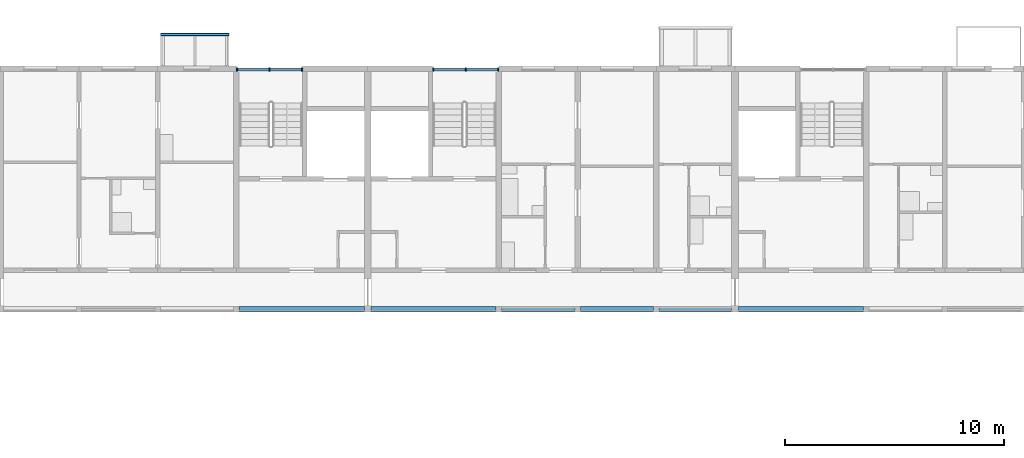
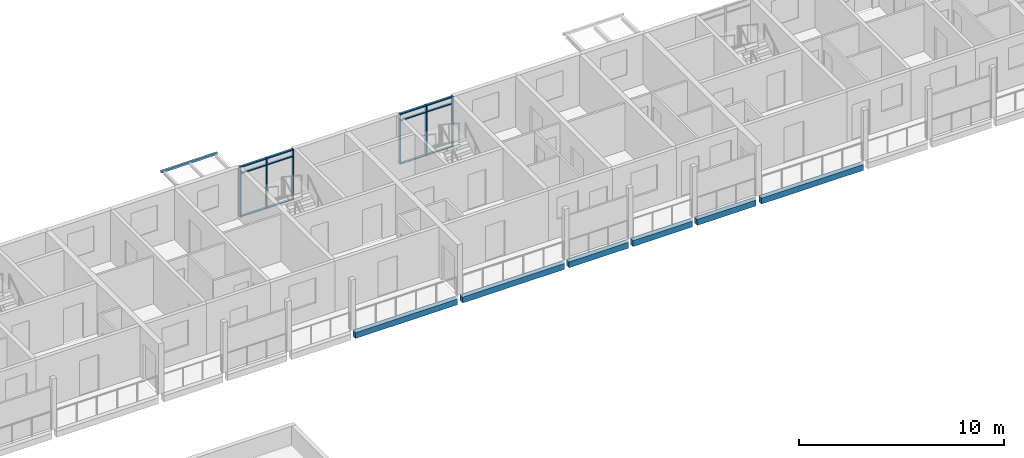
# One storey, part 26 of 115: 18 members, 7 beams, 2 elements without a shape of their own.
"""IFC4 building model written with IfcOpenShell, lengths in metres."""

import ifcopenshell
import ifcopenshell.guid

model = None  # the IFC model being written
_history = None  # IfcOwnerHistory: only IFC2X3 demands one
_inside = {}  # id of a spatial element -> (the spatial element, [elements in it])
_under = {}  # id of a project, library or spatial element -> (it, [spatial elements below it])
_declared = {}  # id of a project -> (the project, [libraries it declares])
_typed = {}  # id of a type object -> (the type object, [elements of that type])
_made_of = {}  # id of a material, layer set ... -> (it, [elements and type objects made of it])


def new_model(schema):
    """Start an empty IFC model of exactly this schema.

    Asked for "IFC4X3", IfcOpenShell would pick the latest addendum, in which some entities
    have other attributes; the version numbers below select the first issue.
    IFC2X3 requires an IfcOwnerHistory on every rooted entity: one is made here for all.
    """
    global model, _history
    if schema == "IFC4X3":
        model = ifcopenshell.file(schema_version=(4, 3, 0, 0))
    else:
        model = ifcopenshell.file(schema=schema)
    _inside.clear()
    _under.clear()
    _declared.clear()
    _typed.clear()
    _made_of.clear()
    _history = None
    if model.schema == "IFC2X3":
        org = make("IfcOrganization", Name="unknown")
        user = make(
            "IfcPersonAndOrganization",
            ThePerson=make("IfcPerson", FamilyName="unknown"),
            TheOrganization=org,
        )
        app = make(
            "IfcApplication",
            ApplicationDeveloper=org,
            Version="unknown",
            ApplicationFullName="unknown",
            ApplicationIdentifier="unknown",
        )
        _history = make(
            "IfcOwnerHistory",
            OwningUser=user,
            OwningApplication=app,
            ChangeAction="ADDED",
            CreationDate=0,
        )
    return model


def make(cls, **values):
    """One entity of the class cls with the attributes given. An attribute that is None is left unset."""
    return model.create_entity(
        cls, **{name: value for name, value in values.items() if value is not None}
    )


def rooted(cls, **values):
    """An entity with a GlobalId (a new one), such as an element, a storey or a relation."""
    return make(cls, GlobalId=ifcopenshell.guid.new(), OwnerHistory=_history, **values)


def si_unit(unit_type, name, prefix=None):
    """IfcSIUnit, for example si_unit("LENGTHUNIT", "METRE", prefix="MILLI")."""
    return make("IfcSIUnit", UnitType=unit_type, Prefix=prefix, Name=name)


def assignment(units):
    """IfcUnitAssignment: the units of a project."""
    return None if units is None else make("IfcUnitAssignment", Units=units)


def point(xyz):
    """IfcCartesianPoint."""
    return None if xyz is None else make("IfcCartesianPoint", Coordinates=xyz)


def direction(xyz):
    """IfcDirection."""
    return None if xyz is None else make("IfcDirection", DirectionRatios=xyz)


def frame(location, z_axis=None, x_axis=None):
    """IfcAxis2Placement3D, a coordinate frame: its origin and axes. An axis left out is left unset."""
    return make(
        "IfcAxis2Placement3D",
        Location=point(location),
        Axis=direction(z_axis),
        RefDirection=direction(x_axis),
    )


def frame_2d(location, x_axis=None):
    """IfcAxis2Placement2D, a coordinate frame in the plane: its origin and x axis."""
    return make(
        "IfcAxis2Placement2D", Location=point(location), RefDirection=direction(x_axis)
    )


def origin():
    """The frame at (0, 0, 0) with its axes left unset."""
    return frame((0.0, 0.0, 0.0))


def origin_2d():
    """The frame at (0, 0) in the plane with its x axis left unset."""
    return frame_2d((0.0, 0.0))


def place(relative_to, where):
    """IfcLocalPlacement: puts the frame where relative to a parent placement (None: the world)."""
    return make(
        "IfcLocalPlacement", PlacementRelTo=relative_to, RelativePlacement=where
    )


def context(
    kind, dimensions, precision=None, world=None, true_north=None, identifier=None
):
    """IfcGeometricRepresentationContext, for example the 3D "Model" context."""
    return make(
        "IfcGeometricRepresentationContext",
        ContextIdentifier=identifier,
        ContextType=kind,
        CoordinateSpaceDimension=dimensions,
        Precision=precision,
        WorldCoordinateSystem=world,
        TrueNorth=true_north,
    )


def subcontext(parent, identifier, kind, view, scale=None):
    """IfcGeometricRepresentationSubContext, for example "Body" below "Model"."""
    return make(
        "IfcGeometricRepresentationSubContext",
        ContextIdentifier=identifier,
        ContextType=kind,
        ParentContext=parent,
        TargetScale=scale,
        TargetView=view,
    )


def project(units=None, contexts=None):
    """IfcProject with its units and contexts."""
    return rooted(
        "IfcProject",
        Name="project",
        RepresentationContexts=contexts,
        UnitsInContext=assignment(units),
    )


def spatial(cls, under=None, at=None, **own):
    """A site, building, storey or space (cls), placed at a placement, below another one or the project."""
    s = rooted(cls, ObjectPlacement=at, **own)
    if under is not None:
        _under.setdefault(under.id(), (under, []))[1].append(s)
    return s


def profile(cls, at=None, kind="AREA", **sizes):
    """A parametric profile (cls). Its sizes go by their IFC names, for example OverallWidth=200.0."""
    return make(cls, ProfileType=kind, Position=at, **sizes)


def rectangle(**sizes):
    """IfcRectangleProfileDef."""
    return profile("IfcRectangleProfileDef", **sizes)


def hollow_rectangle(**sizes):
    """IfcRectangleHollowProfileDef."""
    return profile("IfcRectangleHollowProfileDef", **sizes)


def extrude(swept, where, along, depth):
    """IfcExtrudedAreaSolid: the profile swept, set in the frame where, extruded along a direction by depth."""
    return make(
        "IfcExtrudedAreaSolid",
        SweptArea=swept,
        Position=where,
        ExtrudedDirection=direction(along),
        Depth=depth,
    )


def shape(context_of_items, identifier, shape_type, items):
    """IfcShapeRepresentation: the items that make up one representation, for example the "Body"."""
    return make(
        "IfcShapeRepresentation",
        ContextOfItems=context_of_items,
        RepresentationIdentifier=identifier,
        RepresentationType=shape_type,
        Items=items,
    )


def material(Name=None, Category=None):
    """IfcMaterial."""
    return make("IfcMaterial", Name=Name, Category=Category)


def material_profile(
    of_material, cross_section, Name=None, Category=None, Priority=None
):
    """IfcMaterialProfile: a cross section and its material."""
    return make(
        "IfcMaterialProfile",
        Name=Name,
        Material=of_material,
        Profile=cross_section,
        Priority=Priority,
        Category=Category,
    )


def profile_set(profiles, Name=None, composite=None):
    """IfcMaterialProfileSet."""
    return make(
        "IfcMaterialProfileSet",
        Name=Name,
        MaterialProfiles=profiles,
        CompositeProfile=composite,
    )


def made_of(thing, what):
    """Note that an element or type object is made of a material, layer set ...; save() writes the relation."""
    if what is not None:
        _made_of.setdefault(what.id(), (what, []))[1].append(thing)
    return thing


def type_object(cls, material=None, **own):
    """A type object (cls), such as IfcWallType, which elements share."""
    return made_of(rooted(cls, **own), material)


def element(
    cls,
    number,
    at=None,
    inside=None,
    cuts=None,
    type_object=None,
    material=None,
    context=None,
    identifier="Body",
    shape_type=None,
    held_by="IfcProductDefinitionShape",
    body=None,
    shapes=None,
    **own,
):
    """One element of the class cls, such as IfcWall. Its Tag is "e" and its number.

    at: its placement. inside: the storey or other place that contains it. cuts: it is an
    opening in that element (IfcRelVoidsElement). A single representation is given by context,
    identifier, shape_type and body (its items); several are given by shapes. held_by: the class
    of the entity that holds the representations. save() writes the other relations.
    """
    e = rooted(cls, Tag="e%d" % number, ObjectPlacement=at, **own)
    if body is not None:
        shapes = [shape(context, identifier, shape_type, body)]
    if shapes is not None:
        e.Representation = make(held_by, Representations=shapes)
    if inside is not None:
        _inside.setdefault(inside.id(), (inside, []))[1].append(e)
    if cuts is not None:
        rooted(
            "IfcRelVoidsElement", RelatingBuildingElement=cuts, RelatedOpeningElement=e
        )
    if type_object is not None:
        _typed.setdefault(type_object.id(), (type_object, []))[1].append(e)
    return made_of(e, material)


def aggregate(whole, parts):
    """IfcRelAggregates: a whole, such as a stair, and the parts it consists of."""
    return rooted("IfcRelAggregates", RelatingObject=whole, RelatedObjects=parts)


def save(model, path):
    """Write the relations noted so far, then the file.

    IfcRelAggregates (storeys below a building ...), IfcRelContainedInSpatialStructure (elements
    in a storey), IfcRelDefinesByType, IfcRelAssociatesMaterial and IfcRelDeclares: one each for
    every whole, place, type object, material and project.
    """
    for whole, parts in _under.values():
        aggregate(whole, parts)
    for where, things in _inside.values():
        rooted(
            "IfcRelContainedInSpatialStructure",
            RelatedElements=things,
            RelatingStructure=where,
        )
    for kind, things in _typed.values():
        rooted("IfcRelDefinesByType", RelatedObjects=things, RelatingType=kind)
    for what, things in _made_of.values():
        rooted("IfcRelAssociatesMaterial", RelatedObjects=things, RelatingMaterial=what)
    for by, libraries in _declared.values():
        rooted("IfcRelDeclares", RelatingContext=by, RelatedDefinitions=libraries)
    model.write(path)


model = new_model("IFC4")

# Units and contexts
model_context = context("Model", 3, precision=1e-05, world=origin(), true_north=direction((0.0, 1.0)))
body_context = subcontext(model_context, "Body", "Model", "MODEL_VIEW")
ifc_project = project(units=[si_unit("LENGTHUNIT", "METRE"), si_unit("AREAUNIT", "SQUARE_METRE"), si_unit("VOLUMEUNIT", "CUBIC_METRE"), si_unit("PLANEANGLEUNIT", "RADIAN"), si_unit("MASSUNIT", "GRAM", prefix="KILO")], contexts=[model_context])

# Site, building, storey
site_placement = place(None, origin())
site = spatial("IfcSite", under=ifc_project, at=site_placement, CompositionType="ELEMENT")
building_placement = place(site_placement, origin())
building = spatial("IfcBuilding", under=site, at=building_placement, Name="Ridgestep Commons", CompositionType="ELEMENT")
storey_placement = place(building_placement, frame((0.0, 0.0, 6.0)))
storey = spatial("IfcBuildingStorey", under=building, at=storey_placement, Name="L02", CompositionType="ELEMENT", Elevation=6.0)

# Beams
ifc_material_1 = material(Name="Precast concrete C40/50", Category="concrete")
ifc_material_profile_1 = material_profile(ifc_material_1, rectangle(XDim=0.25, YDim=0.35009765625, at=origin_2d()), Name="PC 250x350")
ifc_profile_set_1 = profile_set([ifc_material_profile_1], Name="Precast concrete C40/50")
beam_type_1 = type_object("IfcBeamType", Name="Loggia edge beam 250 x 350", PredefinedType="SPANDREL", material=ifc_profile_set_1)
beam_1_placement = place(storey_placement, frame((174.52490234375, 66.125, -0.375), z_axis=(1.0, 0.0, 0.0), x_axis=(0.0, 1.0, 0.0)))
element("IfcBeam", 1, at=beam_1_placement, inside=storey, type_object=beam_type_1, Name="Loggia edge beam C2C L02", PredefinedType="SPANDREL", context=body_context, shape_type="SweptSolid", body=[
    extrude(rectangle(XDim=0.25, YDim=0.35009765625, at=origin_2d()), origin(), (0.0, 0.0, 1.0), 5.72509765625),
])
beam_2_placement = place(storey_placement, frame((180.550048828125, 66.125, -0.375), z_axis=(1.0, 0.0, 0.0), x_axis=(0.0, 1.0, 0.0)))
element("IfcBeam", 2, at=beam_2_placement, inside=storey, type_object=beam_type_1, Name="Loggia edge beam C3C L02", PredefinedType="SPANDREL", context=body_context, shape_type="SweptSolid", body=[
    extrude(rectangle(XDim=0.25, YDim=0.35009765625, at=origin_2d()), origin(), (0.0, 0.0, 1.0), 5.724853515625),
])
for number, where, z_axis, x_axis, name in (
    (3, (186.52490234375, 66.125, -0.375), (1.0, 0.0, 0.0), (0.0, 1.0, 0.0), "Loggia edge beam C3T3 L02"),
    (4, (190.125, 66.125, -0.375), (1.0, 0.0, 0.0), (0.0, 1.0, 0.0), "Loggia edge beam C3T2 L02"),
):
    element("IfcBeam", number, at=place(storey_placement, frame(where, z_axis=z_axis, x_axis=x_axis)), inside=storey, type_object=beam_type_1, Name=name, PredefinedType="SPANDREL", context=body_context, shape_type="SweptSolid", body=[
        extrude(rectangle(XDim=0.25, YDim=0.35009765625, at=origin_2d()), origin(), (0.0, 0.0, 1.0), 3.35009765625),
    ])
beam_3_placement = place(storey_placement, frame((193.72509765625, 66.125, -0.375), z_axis=(1.0, 0.0, 0.0), x_axis=(0.0, 1.0, 0.0)))
element("IfcBeam", 5, at=beam_3_placement, inside=storey, type_object=beam_type_1, Name="Loggia edge beam C3T1 L02", PredefinedType="SPANDREL", context=body_context, shape_type="SweptSolid", body=[
    extrude(rectangle(XDim=0.25, YDim=0.35009765625, at=origin_2d()), origin(), (0.0, 0.0, 1.0), 3.324951171875),
])
beam_4_placement = place(storey_placement, frame((197.35009765625, 66.125, -0.375), z_axis=(1.0, 0.0, 0.0), x_axis=(0.0, 1.0, 0.0)))
element("IfcBeam", 6, at=beam_4_placement, inside=storey, type_object=beam_type_1, Name="Loggia edge beam C4C L02", PredefinedType="SPANDREL", context=body_context, shape_type="SweptSolid", body=[
    extrude(rectangle(XDim=0.25, YDim=0.35009765625, at=origin_2d()), origin(), (0.0, 0.0, 1.0), 5.724853515625),
])

# Curtain wall, members
ifc_material_2 = material(Name="Aluminium 6063-T6 and glass", Category="aluminium")
curtain_wall_type = type_object("IfcCurtainWallType", Name="Curtain wall stair strip", PredefinedType="NOTDEFINED", material=ifc_material_2)
curtain_wall_1_placement = place(storey_placement, origin())
curtain_wall_1 = element("IfcCurtainWall", 7, at=curtain_wall_1_placement, inside=storey, type_object=curtain_wall_type, Name="Curtain wall C2C level 02", PredefinedType="NOTDEFINED")
ifc_material_3 = material(Name="Aluminium 6063-T6", Category="aluminium")
ifc_material_profile_2 = material_profile(ifc_material_3, rectangle(XDim=0.159912109375, YDim=0.06005859375, at=origin_2d()), Name="Mullion 60 x 160")
ifc_profile_set_2 = profile_set([ifc_material_profile_2], Name="Aluminium 6063-T6")
member_type_1 = type_object("IfcMemberType", Name="Mullion 60 x 160", PredefinedType="MULLION", material=ifc_profile_set_2)
member_1_placement = place(storey_placement, frame((174.429931640625, 77.080078125, 0.0), z_axis=(0.0, 0.0, 1.0), x_axis=(0.0, 1.0, 0.0)))
member_1 = element("IfcMember", 8, at=member_1_placement, type_object=member_type_1, Name="CW1 mullion 1", PredefinedType="MULLION", context=body_context, shape_type="SweptSolid", body=[
    extrude(rectangle(XDim=0.159912109375, YDim=0.06005859375, at=origin_2d()), origin(), (0.0, 0.0, 1.0), 3.0),
])
member_2_placement = place(storey_placement, frame((175.91259765625, 77.080078125, 0.0), z_axis=(0.0, 0.0, 1.0), x_axis=(0.0, 1.0, 0.0)))
member_2 = element("IfcMember", 9, at=member_2_placement, type_object=member_type_1, Name="CW1 mullion 2", PredefinedType="MULLION", context=body_context, shape_type="SweptSolid", body=[
    extrude(rectangle(XDim=0.159912109375, YDim=0.06005859375, at=origin_2d()), origin(), (0.0, 0.0, 1.0), 3.0),
])
member_3_placement = place(storey_placement, frame((177.39501953125, 77.080078125, 0.0), z_axis=(0.0, 0.0, 1.0), x_axis=(0.0, 1.0, 0.0)))
member_3 = element("IfcMember", 10, at=member_3_placement, type_object=member_type_1, Name="CW1 mullion 3", PredefinedType="MULLION", context=body_context, shape_type="SweptSolid", body=[
    extrude(rectangle(XDim=0.159912109375, YDim=0.06005859375, at=origin_2d()), origin(), (0.0, 0.0, 1.0), 3.0),
])

curtain_wall_2_placement = place(storey_placement, origin())
curtain_wall_2 = element("IfcCurtainWall", 11, at=curtain_wall_2_placement, inside=storey, type_object=curtain_wall_type, Name="Curtain wall C3C level 02", PredefinedType="NOTDEFINED")
member_4_placement = place(storey_placement, frame((183.405029296875, 77.080078125, 0.0), z_axis=(0.0, 0.0, 1.0), x_axis=(0.0, 1.0, 0.0)))
member_4 = element("IfcMember", 12, at=member_4_placement, type_object=member_type_1, Name="CW1 mullion 1", PredefinedType="MULLION", context=body_context, shape_type="SweptSolid", body=[
    extrude(rectangle(XDim=0.159912109375, YDim=0.06005859375, at=origin_2d()), origin(), (0.0, 0.0, 1.0), 3.0),
])
member_5_placement = place(storey_placement, frame((184.887451171875, 77.080078125, 0.0), z_axis=(0.0, 0.0, 1.0), x_axis=(0.0, 1.0, 0.0)))
member_5 = element("IfcMember", 13, at=member_5_placement, type_object=member_type_1, Name="CW1 mullion 2", PredefinedType="MULLION", context=body_context, shape_type="SweptSolid", body=[
    extrude(rectangle(XDim=0.159912109375, YDim=0.06005859375, at=origin_2d()), origin(), (0.0, 0.0, 1.0), 3.0),
])
member_6_placement = place(storey_placement, frame((186.3701171875, 77.080078125, 0.0), z_axis=(0.0, 0.0, 1.0), x_axis=(0.0, 1.0, 0.0)))
member_6 = element("IfcMember", 14, at=member_6_placement, type_object=member_type_1, Name="CW1 mullion 3", PredefinedType="MULLION", context=body_context, shape_type="SweptSolid", body=[
    extrude(rectangle(XDim=0.159912109375, YDim=0.06005859375, at=origin_2d()), origin(), (0.0, 0.0, 1.0), 3.0),
])

# Member
ifc_material_4 = material(Name="Aluminium 6063-T6", Category="aluminium")
ifc_material_profile_3 = material_profile(ifc_material_4, rectangle(XDim=0.1201171875, YDim=0.06005859375, at=origin_2d()), Name="Transom 60 x 120")
ifc_profile_set_3 = profile_set([ifc_material_profile_3], Name="Aluminium 6063-T6")
member_type_2 = type_object("IfcMemberType", Name="Transom 60 x 120", PredefinedType="USERDEFINED", material=ifc_profile_set_3)
member_7_placement = place(storey_placement, frame((174.4599609375, 77.080078125, 0.030029296875), z_axis=(1.0, 0.0, 0.0), x_axis=(0.0, 1.0, 0.0)))
member_7 = element("IfcMember", 15, at=member_7_placement, type_object=member_type_2, Name="CW1 transom 1.1", ObjectType="TRANSOM", PredefinedType="USERDEFINED", context=body_context, shape_type="SweptSolid", body=[
    extrude(rectangle(XDim=0.1201171875, YDim=0.06005859375, at=origin_2d()), origin(), (0.0, 0.0, 1.0), 1.422607421875),
])

member_8_placement = place(storey_placement, frame((174.4599609375, 77.080078125, 2.590087890625), z_axis=(1.0, 0.0, 0.0), x_axis=(0.0, 1.0, 0.0)))
member_8 = element("IfcMember", 16, at=member_8_placement, type_object=member_type_2, Name="CW1 transom 1.2", ObjectType="TRANSOM", PredefinedType="USERDEFINED", context=body_context, shape_type="SweptSolid", body=[
    extrude(rectangle(XDim=0.1201171875, YDim=0.06005859375, at=origin_2d()), origin(), (0.0, 0.0, 1.0), 1.422607421875),
])

member_9_placement = place(storey_placement, frame((174.4599609375, 77.080078125, 2.969970703125), z_axis=(1.0, 0.0, 0.0), x_axis=(0.0, 1.0, 0.0)))
member_9 = element("IfcMember", 17, at=member_9_placement, type_object=member_type_2, Name="CW1 transom 1.3", ObjectType="TRANSOM", PredefinedType="USERDEFINED", context=body_context, shape_type="SweptSolid", body=[
    extrude(rectangle(XDim=0.1201171875, YDim=0.06005859375, at=origin_2d()), origin(), (0.0, 0.0, 1.0), 1.422607421875),
])

member_10_placement = place(storey_placement, frame((175.9423828125, 77.080078125, 0.030029296875), z_axis=(1.0, 0.0, 0.0), x_axis=(0.0, 1.0, 0.0)))
member_10 = element("IfcMember", 18, at=member_10_placement, type_object=member_type_2, Name="CW1 transom 2.1", ObjectType="TRANSOM", PredefinedType="USERDEFINED", context=body_context, shape_type="SweptSolid", body=[
    extrude(rectangle(XDim=0.1201171875, YDim=0.06005859375, at=origin_2d()), origin(), (0.0, 0.0, 1.0), 1.422607421875),
])

member_11_placement = place(storey_placement, frame((175.9423828125, 77.080078125, 2.590087890625), z_axis=(1.0, 0.0, 0.0), x_axis=(0.0, 1.0, 0.0)))
member_11 = element("IfcMember", 19, at=member_11_placement, type_object=member_type_2, Name="CW1 transom 2.2", ObjectType="TRANSOM", PredefinedType="USERDEFINED", context=body_context, shape_type="SweptSolid", body=[
    extrude(rectangle(XDim=0.1201171875, YDim=0.06005859375, at=origin_2d()), origin(), (0.0, 0.0, 1.0), 1.422607421875),
])

member_12_placement = place(storey_placement, frame((175.9423828125, 77.080078125, 2.969970703125), z_axis=(1.0, 0.0, 0.0), x_axis=(0.0, 1.0, 0.0)))
member_12 = element("IfcMember", 20, at=member_12_placement, type_object=member_type_2, Name="CW1 transom 2.3", ObjectType="TRANSOM", PredefinedType="USERDEFINED", context=body_context, shape_type="SweptSolid", body=[
    extrude(rectangle(XDim=0.1201171875, YDim=0.06005859375, at=origin_2d()), origin(), (0.0, 0.0, 1.0), 1.422607421875),
])

aggregate(curtain_wall_1, [member_1, member_2, member_3, member_7, member_8, member_9, member_10, member_11, member_12])

member_13_placement = place(storey_placement, frame((183.43505859375, 77.080078125, 0.030029296875), z_axis=(1.0, 0.0, 0.0), x_axis=(0.0, 1.0, 0.0)))
member_13 = element("IfcMember", 21, at=member_13_placement, type_object=member_type_2, Name="CW1 transom 1.1", ObjectType="TRANSOM", PredefinedType="USERDEFINED", context=body_context, shape_type="SweptSolid", body=[
    extrude(rectangle(XDim=0.1201171875, YDim=0.06005859375, at=origin_2d()), origin(), (0.0, 0.0, 1.0), 1.42236328125),
])

member_14_placement = place(storey_placement, frame((183.43505859375, 77.080078125, 2.590087890625), z_axis=(1.0, 0.0, 0.0), x_axis=(0.0, 1.0, 0.0)))
member_14 = element("IfcMember", 22, at=member_14_placement, type_object=member_type_2, Name="CW1 transom 1.2", ObjectType="TRANSOM", PredefinedType="USERDEFINED", context=body_context, shape_type="SweptSolid", body=[
    extrude(rectangle(XDim=0.1201171875, YDim=0.06005859375, at=origin_2d()), origin(), (0.0, 0.0, 1.0), 1.42236328125),
])

member_15_placement = place(storey_placement, frame((183.43505859375, 77.080078125, 2.969970703125), z_axis=(1.0, 0.0, 0.0), x_axis=(0.0, 1.0, 0.0)))
member_15 = element("IfcMember", 23, at=member_15_placement, type_object=member_type_2, Name="CW1 transom 1.3", ObjectType="TRANSOM", PredefinedType="USERDEFINED", context=body_context, shape_type="SweptSolid", body=[
    extrude(rectangle(XDim=0.1201171875, YDim=0.06005859375, at=origin_2d()), origin(), (0.0, 0.0, 1.0), 1.42236328125),
])

member_16_placement = place(storey_placement, frame((184.91748046875, 77.080078125, 0.030029296875), z_axis=(1.0, 0.0, 0.0), x_axis=(0.0, 1.0, 0.0)))
member_16 = element("IfcMember", 24, at=member_16_placement, type_object=member_type_2, Name="CW1 transom 2.1", ObjectType="TRANSOM", PredefinedType="USERDEFINED", context=body_context, shape_type="SweptSolid", body=[
    extrude(rectangle(XDim=0.1201171875, YDim=0.06005859375, at=origin_2d()), origin(), (0.0, 0.0, 1.0), 1.422607421875),
])

member_17_placement = place(storey_placement, frame((184.91748046875, 77.080078125, 2.590087890625), z_axis=(1.0, 0.0, 0.0), x_axis=(0.0, 1.0, 0.0)))
member_17 = element("IfcMember", 25, at=member_17_placement, type_object=member_type_2, Name="CW1 transom 2.2", ObjectType="TRANSOM", PredefinedType="USERDEFINED", context=body_context, shape_type="SweptSolid", body=[
    extrude(rectangle(XDim=0.1201171875, YDim=0.06005859375, at=origin_2d()), origin(), (0.0, 0.0, 1.0), 1.422607421875),
])

member_18_placement = place(storey_placement, frame((184.91748046875, 77.080078125, 2.969970703125), z_axis=(1.0, 0.0, 0.0), x_axis=(0.0, 1.0, 0.0)))
member_18 = element("IfcMember", 26, at=member_18_placement, type_object=member_type_2, Name="CW1 transom 2.3", ObjectType="TRANSOM", PredefinedType="USERDEFINED", context=body_context, shape_type="SweptSolid", body=[
    extrude(rectangle(XDim=0.1201171875, YDim=0.06005859375, at=origin_2d()), origin(), (0.0, 0.0, 1.0), 1.422607421875),
])

aggregate(curtain_wall_2, [member_4, member_5, member_6, member_13, member_14, member_15, member_16, member_17, member_18])

# Beam
ifc_material_5 = material(Name="Weathering steel S355J2W", Category="steel")
ifc_material_profile_4 = material_profile(ifc_material_5, hollow_rectangle(XDim=0.1201171875, YDim=0.1201171875, WallThickness=0.00634765625, InnerFilletRadius=0.00634765625, OuterFilletRadius=0.009521484375, at=origin_2d()), Name="SHS 120x120x6.3")
ifc_profile_set_4 = profile_set([ifc_material_profile_4], Name="Weathering steel S355J2W")
beam_type_2 = type_object("IfcBeamType", Name="Tray edge member SHS 120x120x6.3", PredefinedType="BEAM", material=ifc_profile_set_4)
beam_5_placement = place(storey_placement, frame((170.929931640625, 78.68994140625, 2.929931640625), z_axis=(1.0, 0.0, 0.0), x_axis=(0.0, 0.0, 1.0)))
element("IfcBeam", 27, at=beam_5_placement, inside=storey, type_object=beam_type_2, Name="Tray edge member C2T3-03", PredefinedType="BEAM", context=body_context, shape_type="SweptSolid", body=[
    extrude(hollow_rectangle(XDim=0.1201171875, YDim=0.1201171875, WallThickness=0.00634765625, InnerFilletRadius=0.00634765625, OuterFilletRadius=0.009521484375, at=origin_2d()), origin(), (0.0, 0.0, 1.0), 3.14013671875),
])

save(model, "model.ifc")
